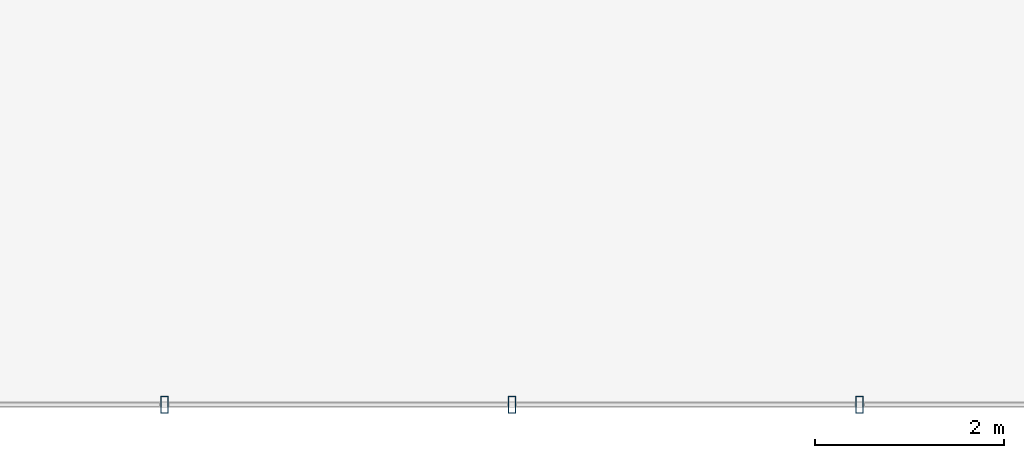
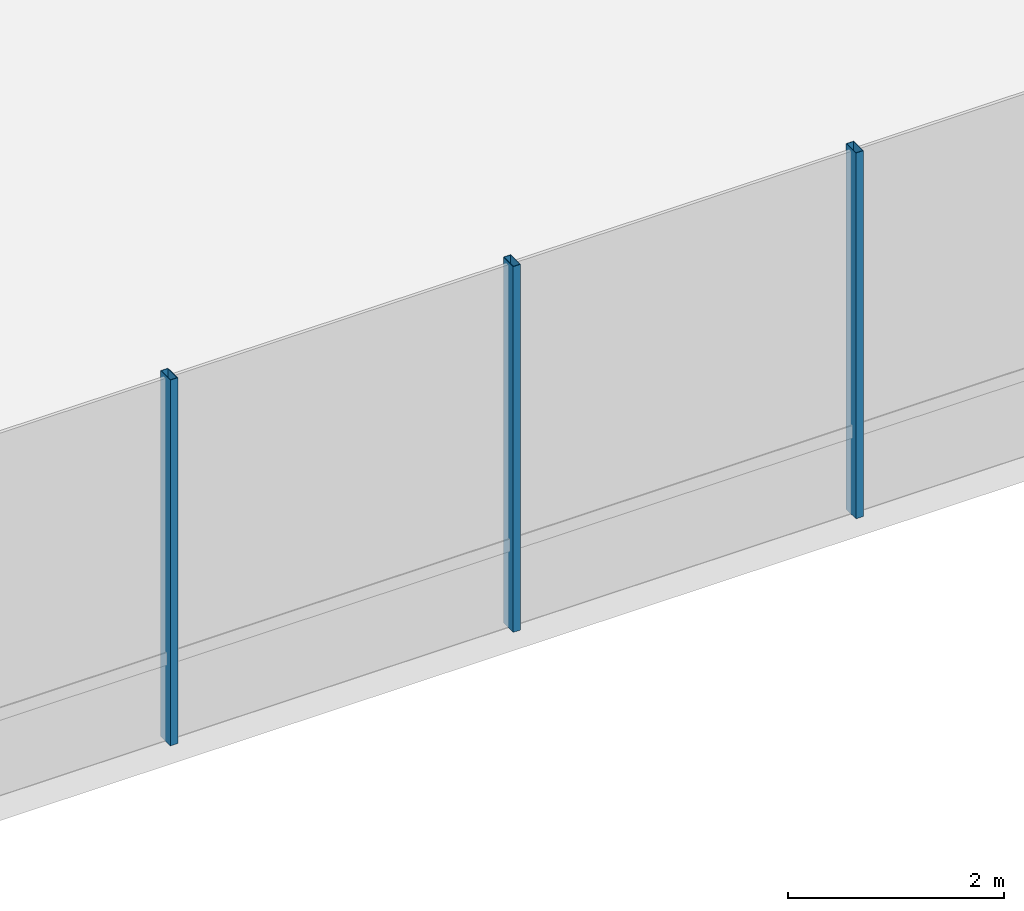
# One storey, part 12 of 43: 3 members, 1 element without a shape of its own.
"""IFC4 building model written with IfcOpenShell, lengths in metres."""

from ifc_helpers import new_model, si_unit, direction, frame, origin, origin_2d, place, context, subcontext, project, spatial, hollow_rectangle, extrude, material, layer, layer_set, material_profile, profile_set, type_object, element, aggregate, save


model = new_model("IFC4")

# Units and contexts
model_context = context("Model", 3, precision=1e-05, world=origin(), true_north=direction((0.0, 1.0)))
body_context = subcontext(model_context, "Body", "Model", "MODEL_VIEW")
ifc_project = project(units=[si_unit("LENGTHUNIT", "METRE"), si_unit("AREAUNIT", "SQUARE_METRE"), si_unit("VOLUMEUNIT", "CUBIC_METRE"), si_unit("PLANEANGLEUNIT", "RADIAN"), si_unit("MASSUNIT", "GRAM", prefix="KILO")], contexts=[model_context])

# Site, building, storey
site_placement = place(None, origin())
site = spatial("IfcSite", under=ifc_project, at=site_placement, CompositionType="ELEMENT")
building_placement = place(site_placement, origin())
building = spatial("IfcBuilding", under=site, at=building_placement, Name="Zarrinselat Tower", CompositionType="ELEMENT")
storey_placement = place(building_placement, frame((0.0, 0.0, 5.10009765625)))
storey = spatial("IfcBuildingStorey", under=building, at=storey_placement, Name="L01", CompositionType="ELEMENT", Elevation=5.10009765625)

# Curtain wall, members
ifc_material_1 = material(Name="Extruded Aluminium Alloy EN AW-6063 T6", Category="aluminium")
ifc_layer = layer(ifc_material_1, 0.2099609375)
ifc_layer_set = layer_set([ifc_layer], Name="Extruded Aluminium Alloy EN AW-6063 T6")
curtain_wall_type = type_object("IfcCurtainWallType", Name="CWS-POD", PredefinedType="NOTDEFINED", material=ifc_layer_set)
curtain_wall_placement = place(storey_placement, origin())
curtain_wall = element("IfcCurtainWall", 1, at=curtain_wall_placement, inside=storey, type_object=curtain_wall_type, Name="L01 Unitised Curtain Wall CW-L01-F1", PredefinedType="NOTDEFINED")
ifc_material_2 = material(Name="Extruded Aluminium Alloy EN AW-6063 T6", Category="aluminium")
ifc_material_profile = material_profile(ifc_material_2, hollow_rectangle(XDim=0.080078125, YDim=0.179931640625, WallThickness=0.0048828125, at=origin_2d()), Name="RHS 180x80x5")
ifc_profile_set = profile_set([ifc_material_profile], Name="Extruded Aluminium Alloy EN AW-6063 T6")
member_type = type_object("IfcMemberType", Name="MEM-CW-MUL", PredefinedType="MULLION", material=ifc_profile_set)
member_1_placement = place(storey_placement, frame((31.06005859375, 4.800048828125, 0.0), z_axis=(0.0, 0.0, 1.0), x_axis=(1.0, 0.0, 0.0)))
member_1 = element("IfcMember", 2, at=member_1_placement, type_object=member_type, Name="CW-L01-F1 Mullion 8", PredefinedType="MULLION", context=body_context, shape_type="SweptSolid", body=[
    extrude(hollow_rectangle(XDim=0.080078125, YDim=0.179931640625, WallThickness=0.0048828125, at=origin_2d()), origin(), (0.0, 0.0, 1.0), 4.139892578125),
])
member_2_placement = place(storey_placement, frame((34.72998046875, 4.800048828125, 0.0), z_axis=(0.0, 0.0, 1.0), x_axis=(1.0, 0.0, 0.0)))
member_2 = element("IfcMember", 3, at=member_2_placement, type_object=member_type, Name="CW-L01-F1 Mullion 9", PredefinedType="MULLION", context=body_context, shape_type="SweptSolid", body=[
    extrude(hollow_rectangle(XDim=0.080078125, YDim=0.179931640625, WallThickness=0.0048828125, at=origin_2d()), origin(), (0.0, 0.0, 1.0), 4.139892578125),
])
member_3_placement = place(storey_placement, frame((38.39990234375, 4.800048828125, 0.0), z_axis=(0.0, 0.0, 1.0), x_axis=(1.0, 0.0, 0.0)))
member_3 = element("IfcMember", 4, at=member_3_placement, type_object=member_type, Name="CW-L01-F1 Mullion 10", PredefinedType="MULLION", context=body_context, shape_type="SweptSolid", body=[
    extrude(hollow_rectangle(XDim=0.080078125, YDim=0.179931640625, WallThickness=0.0048828125, at=origin_2d()), origin(), (0.0, 0.0, 1.0), 4.139892578125),
])
aggregate(curtain_wall, [member_1, member_2, member_3])

save(model, "model.ifc")
